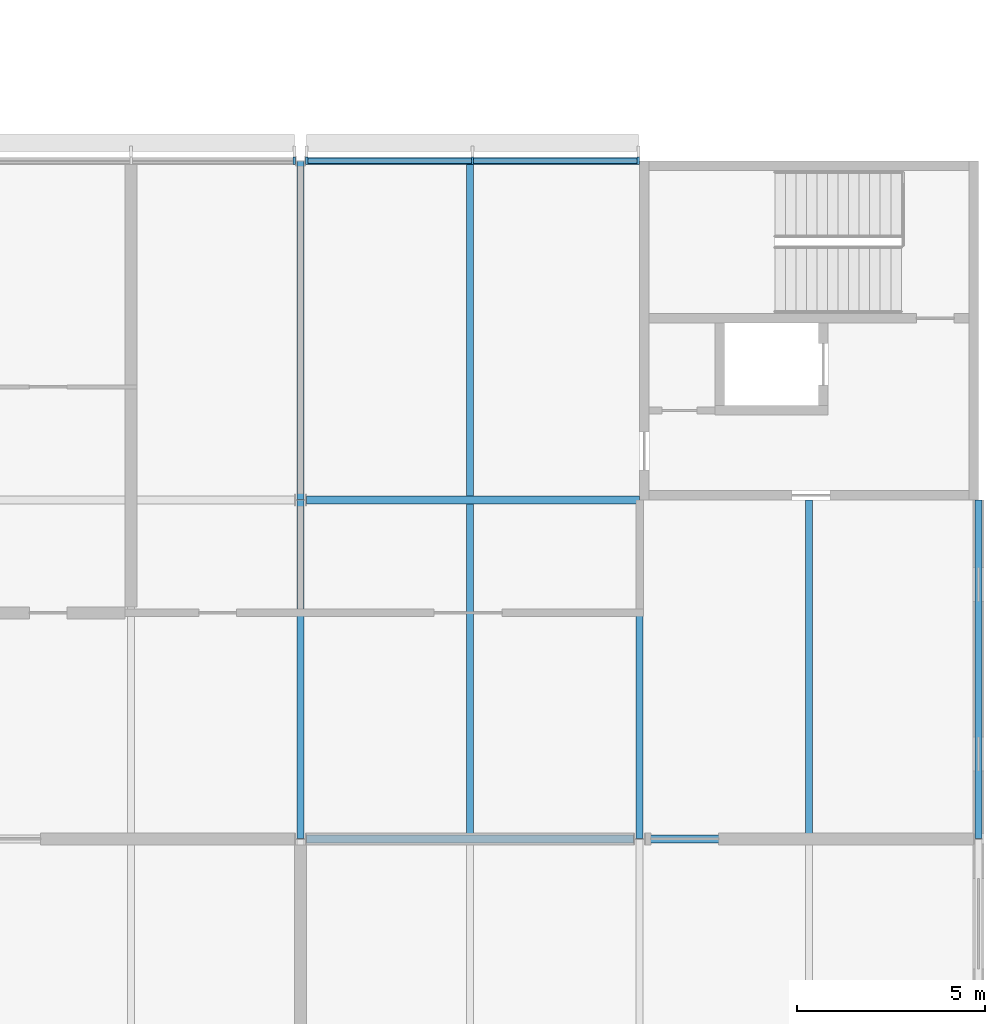
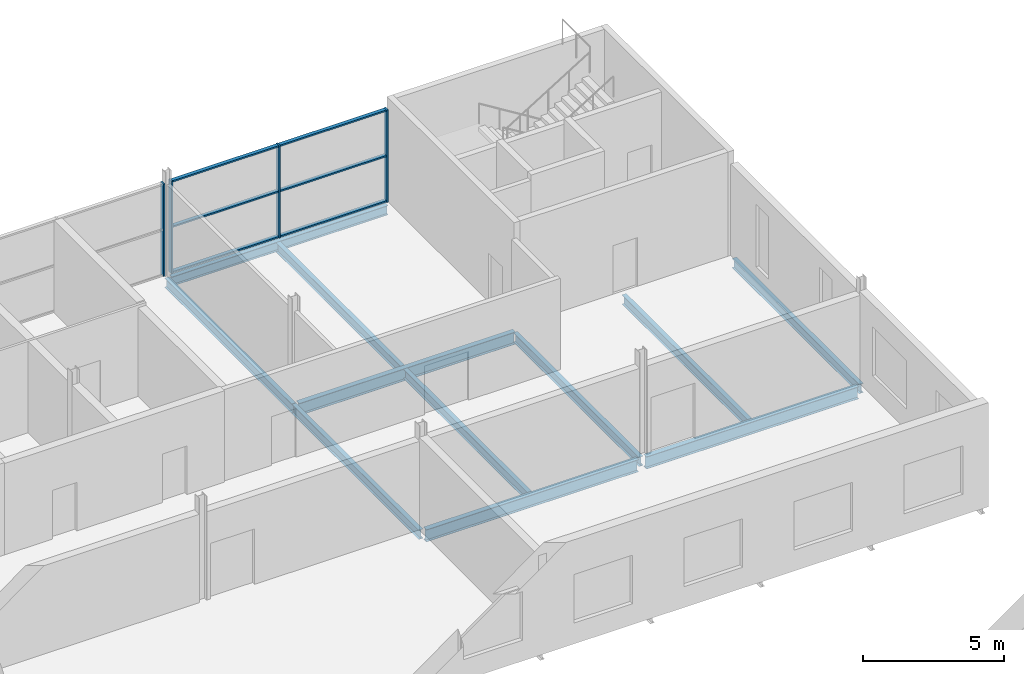
# One storey, part 59 of 97: 11 beams, 10 members, 2 elements without a shape of their own.
"""IFC4 building model written with IfcOpenShell, lengths in metres."""

import ifcopenshell
import ifcopenshell.guid

model = None  # the IFC model being written
_history = None  # IfcOwnerHistory: only IFC2X3 demands one
_inside = {}  # id of a spatial element -> (the spatial element, [elements in it])
_under = {}  # id of a project, library or spatial element -> (it, [spatial elements below it])
_declared = {}  # id of a project -> (the project, [libraries it declares])
_typed = {}  # id of a type object -> (the type object, [elements of that type])
_made_of = {}  # id of a material, layer set ... -> (it, [elements and type objects made of it])


def new_model(schema):
    """Start an empty IFC model of exactly this schema.

    Asked for "IFC4X3", IfcOpenShell would pick the latest addendum, in which some entities
    have other attributes; the version numbers below select the first issue.
    IFC2X3 requires an IfcOwnerHistory on every rooted entity: one is made here for all.
    """
    global model, _history
    if schema == "IFC4X3":
        model = ifcopenshell.file(schema_version=(4, 3, 0, 0))
    else:
        model = ifcopenshell.file(schema=schema)
    _inside.clear()
    _under.clear()
    _declared.clear()
    _typed.clear()
    _made_of.clear()
    _history = None
    if model.schema == "IFC2X3":
        org = make("IfcOrganization", Name="unknown")
        user = make(
            "IfcPersonAndOrganization",
            ThePerson=make("IfcPerson", FamilyName="unknown"),
            TheOrganization=org,
        )
        app = make(
            "IfcApplication",
            ApplicationDeveloper=org,
            Version="unknown",
            ApplicationFullName="unknown",
            ApplicationIdentifier="unknown",
        )
        _history = make(
            "IfcOwnerHistory",
            OwningUser=user,
            OwningApplication=app,
            ChangeAction="ADDED",
            CreationDate=0,
        )
    return model


def make(cls, **values):
    """One entity of the class cls with the attributes given. An attribute that is None is left unset."""
    return model.create_entity(
        cls, **{name: value for name, value in values.items() if value is not None}
    )


def rooted(cls, **values):
    """An entity with a GlobalId (a new one), such as an element, a storey or a relation."""
    return make(cls, GlobalId=ifcopenshell.guid.new(), OwnerHistory=_history, **values)


def si_unit(unit_type, name, prefix=None):
    """IfcSIUnit, for example si_unit("LENGTHUNIT", "METRE", prefix="MILLI")."""
    return make("IfcSIUnit", UnitType=unit_type, Prefix=prefix, Name=name)


def assignment(units):
    """IfcUnitAssignment: the units of a project."""
    return None if units is None else make("IfcUnitAssignment", Units=units)


def point(xyz):
    """IfcCartesianPoint."""
    return None if xyz is None else make("IfcCartesianPoint", Coordinates=xyz)


def direction(xyz):
    """IfcDirection."""
    return None if xyz is None else make("IfcDirection", DirectionRatios=xyz)


def frame(location, z_axis=None, x_axis=None):
    """IfcAxis2Placement3D, a coordinate frame: its origin and axes. An axis left out is left unset."""
    return make(
        "IfcAxis2Placement3D",
        Location=point(location),
        Axis=direction(z_axis),
        RefDirection=direction(x_axis),
    )


def frame_2d(location, x_axis=None):
    """IfcAxis2Placement2D, a coordinate frame in the plane: its origin and x axis."""
    return make(
        "IfcAxis2Placement2D", Location=point(location), RefDirection=direction(x_axis)
    )


def origin():
    """The frame at (0, 0, 0) with its axes left unset."""
    return frame((0.0, 0.0, 0.0))


def origin_2d():
    """The frame at (0, 0) in the plane with its x axis left unset."""
    return frame_2d((0.0, 0.0))


def place(relative_to, where):
    """IfcLocalPlacement: puts the frame where relative to a parent placement (None: the world)."""
    return make(
        "IfcLocalPlacement", PlacementRelTo=relative_to, RelativePlacement=where
    )


def context(
    kind, dimensions, precision=None, world=None, true_north=None, identifier=None
):
    """IfcGeometricRepresentationContext, for example the 3D "Model" context."""
    return make(
        "IfcGeometricRepresentationContext",
        ContextIdentifier=identifier,
        ContextType=kind,
        CoordinateSpaceDimension=dimensions,
        Precision=precision,
        WorldCoordinateSystem=world,
        TrueNorth=true_north,
    )


def subcontext(parent, identifier, kind, view, scale=None):
    """IfcGeometricRepresentationSubContext, for example "Body" below "Model"."""
    return make(
        "IfcGeometricRepresentationSubContext",
        ContextIdentifier=identifier,
        ContextType=kind,
        ParentContext=parent,
        TargetScale=scale,
        TargetView=view,
    )


def project(units=None, contexts=None):
    """IfcProject with its units and contexts."""
    return rooted(
        "IfcProject",
        Name="project",
        RepresentationContexts=contexts,
        UnitsInContext=assignment(units),
    )


def spatial(cls, under=None, at=None, **own):
    """A site, building, storey or space (cls), placed at a placement, below another one or the project."""
    s = rooted(cls, ObjectPlacement=at, **own)
    if under is not None:
        _under.setdefault(under.id(), (under, []))[1].append(s)
    return s


def profile(cls, at=None, kind="AREA", **sizes):
    """A parametric profile (cls). Its sizes go by their IFC names, for example OverallWidth=200.0."""
    return make(cls, ProfileType=kind, Position=at, **sizes)


def rectangle(**sizes):
    """IfcRectangleProfileDef."""
    return profile("IfcRectangleProfileDef", **sizes)


def i_section(**sizes):
    """IfcIShapeProfileDef."""
    return profile("IfcIShapeProfileDef", **sizes)


def extrude(swept, where, along, depth):
    """IfcExtrudedAreaSolid: the profile swept, set in the frame where, extruded along a direction by depth."""
    return make(
        "IfcExtrudedAreaSolid",
        SweptArea=swept,
        Position=where,
        ExtrudedDirection=direction(along),
        Depth=depth,
    )


def shape(context_of_items, identifier, shape_type, items):
    """IfcShapeRepresentation: the items that make up one representation, for example the "Body"."""
    return make(
        "IfcShapeRepresentation",
        ContextOfItems=context_of_items,
        RepresentationIdentifier=identifier,
        RepresentationType=shape_type,
        Items=items,
    )


def material(Name=None, Category=None):
    """IfcMaterial."""
    return make("IfcMaterial", Name=Name, Category=Category)


def layer(
    of_material, thickness, ventilated=None, Name=None, Category=None, Priority=None
):
    """IfcMaterialLayer: one layer of a wall or slab, of a material (None: an air gap)."""
    return make(
        "IfcMaterialLayer",
        Material=of_material,
        LayerThickness=thickness,
        IsVentilated=ventilated,
        Name=Name,
        Category=Category,
        Priority=Priority,
    )


def layer_set(layers, Name=None):
    """IfcMaterialLayerSet."""
    return make("IfcMaterialLayerSet", MaterialLayers=layers, LayerSetName=Name)


def material_profile(
    of_material, cross_section, Name=None, Category=None, Priority=None
):
    """IfcMaterialProfile: a cross section and its material."""
    return make(
        "IfcMaterialProfile",
        Name=Name,
        Material=of_material,
        Profile=cross_section,
        Priority=Priority,
        Category=Category,
    )


def profile_set(profiles, Name=None, composite=None):
    """IfcMaterialProfileSet."""
    return make(
        "IfcMaterialProfileSet",
        Name=Name,
        MaterialProfiles=profiles,
        CompositeProfile=composite,
    )


def made_of(thing, what):
    """Note that an element or type object is made of a material, layer set ...; save() writes the relation."""
    if what is not None:
        _made_of.setdefault(what.id(), (what, []))[1].append(thing)
    return thing


def type_object(cls, material=None, **own):
    """A type object (cls), such as IfcWallType, which elements share."""
    return made_of(rooted(cls, **own), material)


def element(
    cls,
    number,
    at=None,
    inside=None,
    cuts=None,
    type_object=None,
    material=None,
    context=None,
    identifier="Body",
    shape_type=None,
    held_by="IfcProductDefinitionShape",
    body=None,
    shapes=None,
    **own,
):
    """One element of the class cls, such as IfcWall. Its Tag is "e" and its number.

    at: its placement. inside: the storey or other place that contains it. cuts: it is an
    opening in that element (IfcRelVoidsElement). A single representation is given by context,
    identifier, shape_type and body (its items); several are given by shapes. held_by: the class
    of the entity that holds the representations. save() writes the other relations.
    """
    e = rooted(cls, Tag="e%d" % number, ObjectPlacement=at, **own)
    if body is not None:
        shapes = [shape(context, identifier, shape_type, body)]
    if shapes is not None:
        e.Representation = make(held_by, Representations=shapes)
    if inside is not None:
        _inside.setdefault(inside.id(), (inside, []))[1].append(e)
    if cuts is not None:
        rooted(
            "IfcRelVoidsElement", RelatingBuildingElement=cuts, RelatedOpeningElement=e
        )
    if type_object is not None:
        _typed.setdefault(type_object.id(), (type_object, []))[1].append(e)
    return made_of(e, material)


def aggregate(whole, parts):
    """IfcRelAggregates: a whole, such as a stair, and the parts it consists of."""
    return rooted("IfcRelAggregates", RelatingObject=whole, RelatedObjects=parts)


def save(model, path):
    """Write the relations noted so far, then the file.

    IfcRelAggregates (storeys below a building ...), IfcRelContainedInSpatialStructure (elements
    in a storey), IfcRelDefinesByType, IfcRelAssociatesMaterial and IfcRelDeclares: one each for
    every whole, place, type object, material and project.
    """
    for whole, parts in _under.values():
        aggregate(whole, parts)
    for where, things in _inside.values():
        rooted(
            "IfcRelContainedInSpatialStructure",
            RelatedElements=things,
            RelatingStructure=where,
        )
    for kind, things in _typed.values():
        rooted("IfcRelDefinesByType", RelatedObjects=things, RelatingType=kind)
    for what, things in _made_of.values():
        rooted("IfcRelAssociatesMaterial", RelatedObjects=things, RelatingMaterial=what)
    for by, libraries in _declared.values():
        rooted("IfcRelDeclares", RelatingContext=by, RelatedDefinitions=libraries)
    model.write(path)


model = new_model("IFC4")

# Units and contexts
model_context = context("Model", 3, precision=1e-05, world=origin(), true_north=direction((0.0, 1.0)))
body_context = subcontext(model_context, "Body", "Model", "MODEL_VIEW")
ifc_project = project(units=[si_unit("LENGTHUNIT", "METRE"), si_unit("AREAUNIT", "SQUARE_METRE"), si_unit("VOLUMEUNIT", "CUBIC_METRE"), si_unit("PLANEANGLEUNIT", "RADIAN"), si_unit("MASSUNIT", "GRAM", prefix="KILO")], contexts=[model_context])

# Site, building, storey
site_placement = place(None, origin())
site = spatial("IfcSite", under=ifc_project, at=site_placement, CompositionType="ELEMENT")
building_placement = place(site_placement, origin())
building = spatial("IfcBuilding", under=site, at=building_placement, Name="Corbel Yard City Hall", CompositionType="ELEMENT")
storey_placement = place(building_placement, frame((0.0, 0.0, 6.0)))
storey = spatial("IfcBuildingStorey", under=building, at=storey_placement, Name="L01", CompositionType="ELEMENT", Elevation=6.0)

# Beams
ifc_material_1 = material(Name="Steel Grade 300 (300 MPa yield)", Category="steel")
ifc_material_profile_1 = material_profile(ifc_material_1, i_section(OverallWidth=0.177978515625, OverallDepth=0.403076171875, WebThickness=0.007568359375, FlangeThickness=0.010986328125, at=origin_2d()), Name="410UB53.7")
ifc_profile_set_1 = profile_set([ifc_material_profile_1], Name="Steel Grade 300 (300 MPa yield)")
beam_type_1 = type_object("IfcBeamType", Name="Beam 410UB53.7", PredefinedType="BEAM", material=ifc_profile_set_1)
beam_1_placement = place(storey_placement, frame((162.0, 99.0078125, -0.3515625), z_axis=(0.0, 1.0, 0.0), x_axis=(-1.0, 0.0, 0.0)))
element("IfcBeam", 1, at=beam_1_placement, inside=storey, type_object=beam_type_1, Name="Beam 410UB53.7 SB6 L01floor", PredefinedType="BEAM", context=body_context, shape_type="SweptSolid", body=[
    extrude(i_section(OverallWidth=0.177978515625, OverallDepth=0.403076171875, WebThickness=0.007568359375, FlangeThickness=0.010986328125, at=origin_2d()), origin(), (0.0, 0.0, 1.0), 8.984375),
])
beam_2_placement = place(storey_placement, frame((162.0, 108.0078125, -0.3515625), z_axis=(0.0, 1.0, 0.0), x_axis=(-1.0, 0.0, 0.0)))
element("IfcBeam", 2, at=beam_2_placement, inside=storey, type_object=beam_type_1, Name="Beam 410UB53.7 SB6 L01floor", PredefinedType="BEAM", context=body_context, shape_type="SweptSolid", body=[
    extrude(i_section(OverallWidth=0.177978515625, OverallDepth=0.403076171875, WebThickness=0.007568359375, FlangeThickness=0.010986328125, at=origin_2d()), origin(), (0.0, 0.0, 1.0), 8.986328125),
])
beam_3_placement = place(storey_placement, frame((171.0, 99.0078125, -0.3515625), z_axis=(0.0, 1.0, 0.0), x_axis=(-1.0, 0.0, 0.0)))
element("IfcBeam", 3, at=beam_3_placement, inside=storey, type_object=beam_type_1, Name="Beam 410UB53.7 SB6 L01floor", PredefinedType="BEAM", context=body_context, shape_type="SweptSolid", body=[
    extrude(i_section(OverallWidth=0.177978515625, OverallDepth=0.403076171875, WebThickness=0.007568359375, FlangeThickness=0.010986328125, at=origin_2d()), origin(), (0.0, 0.0, 1.0), 8.8876953125),
])
ifc_material_profile_2 = material_profile(ifc_material_1, i_section(OverallWidth=0.177978515625, OverallDepth=0.406005859375, WebThickness=0.0078125, FlangeThickness=0.0126953125, at=origin_2d()), Name="410UB59.7")
ifc_profile_set_2 = profile_set([ifc_material_profile_2], Name="Steel Grade 300 (300 MPa yield)")
beam_type_2 = type_object("IfcBeamType", Name="Edge beam 410UB59.7", PredefinedType="BEAM", material=ifc_profile_set_2)
beam_4_placement = place(storey_placement, frame((162.157470703125, 117.0, -0.35302734375), z_axis=(1.0, 0.0, 0.0), x_axis=(0.0, 1.0, 0.0)))
element("IfcBeam", 4, at=beam_4_placement, inside=storey, type_object=beam_type_2, Name="Edge beam 410UB59.7 EB2 L01floor", PredefinedType="BEAM", context=body_context, shape_type="SweptSolid", body=[
    extrude(i_section(OverallWidth=0.177978515625, OverallDepth=0.406005859375, WebThickness=0.0078125, FlangeThickness=0.0126953125, at=origin_2d()), origin(), (0.0, 0.0, 1.0), 8.842529296875),
])
beam_5_placement = place(storey_placement, frame((180.0, 99.005859375, -0.35302734375), z_axis=(0.0, 1.0, 0.0), x_axis=(-1.0, 0.0, 0.0)))
element("IfcBeam", 5, at=beam_5_placement, inside=storey, type_object=beam_type_2, Name="Edge beam 410UB59.7 EB2 L01floor", PredefinedType="BEAM", context=body_context, shape_type="SweptSolid", body=[
    extrude(i_section(OverallWidth=0.177978515625, OverallDepth=0.406005859375, WebThickness=0.0078125, FlangeThickness=0.0126953125, at=origin_2d()), origin(), (0.0, 0.0, 1.0), 8.994140625),
])
ifc_material_profile_3 = material_profile(ifc_material_1, i_section(OverallWidth=0.208984375, OverallDepth=0.528076171875, WebThickness=0.009521484375, FlangeThickness=0.01318359375, at=origin_2d()), Name="530UB82.0")
ifc_profile_set_3 = profile_set([ifc_material_profile_3], Name="Steel Grade 300 (300 MPa yield)")
beam_type_3 = type_object("IfcBeamType", Name="Girder 530UB82.0", PredefinedType="BEAM", material=ifc_profile_set_3)
beam_6_placement = place(storey_placement, frame((162.16357421875, 99.0, -0.4140625), z_axis=(1.0, 0.0, 0.0), x_axis=(0.0, 1.0, 0.0)))
element("IfcBeam", 6, at=beam_6_placement, inside=storey, type_object=beam_type_3, Name="Girder 530UB82.0 GB3 L01floor", PredefinedType="BEAM", context=body_context, shape_type="SweptSolid", body=[
    extrude(i_section(OverallWidth=0.208984375, OverallDepth=0.528076171875, WebThickness=0.009521484375, FlangeThickness=0.01318359375, at=origin_2d()), origin(), (0.0, 0.0, 1.0), 8.6728515625),
])
beam_7_placement = place(storey_placement, frame((171.16357421875, 99.0, -0.4140625), z_axis=(1.0, 0.0, 0.0), x_axis=(0.0, 1.0, 0.0)))
element("IfcBeam", 7, at=beam_7_placement, inside=storey, type_object=beam_type_3, Name="Girder 530UB82.0 GB3 L01floor", PredefinedType="BEAM", context=body_context, shape_type="SweptSolid", body=[
    extrude(i_section(OverallWidth=0.208984375, OverallDepth=0.528076171875, WebThickness=0.009521484375, FlangeThickness=0.01318359375, at=origin_2d()), origin(), (0.0, 0.0, 1.0), 8.678955078125),
])
beam_8_placement = place(storey_placement, frame((162.16357421875, 108.0, -0.4140625), z_axis=(1.0, 0.0, 0.0), x_axis=(0.0, 1.0, 0.0)))
element("IfcBeam", 8, at=beam_8_placement, inside=storey, type_object=beam_type_3, Name="Girder 530UB82.0 GB3 L01floor", PredefinedType="BEAM", context=body_context, shape_type="SweptSolid", body=[
    extrude(i_section(OverallWidth=0.208984375, OverallDepth=0.528076171875, WebThickness=0.009521484375, FlangeThickness=0.01318359375, at=origin_2d()), origin(), (0.0, 0.0, 1.0), 8.83642578125),
])

# Curtain wall, member
ifc_material_2 = material(Name="Aluminium extrusion", Category="aluminium")
ifc_layer = layer(ifc_material_2, 0.199951171875)
ifc_layer_set = layer_set([ifc_layer], Name="Aluminium extrusion")
curtain_wall_type = type_object("IfcCurtainWallType", Name="CW1", PredefinedType="USERDEFINED", material=ifc_layer_set)
curtain_wall_1_placement = place(storey_placement, origin())
curtain_wall_1 = element("IfcCurtainWall", 9, at=curtain_wall_1_placement, inside=storey, type_object=curtain_wall_type, Name="Curtain wall CW1 L01", ObjectType="CURTAIN WALL", PredefinedType="USERDEFINED")
ifc_material_profile_4 = material_profile(ifc_material_2, rectangle(XDim=0.199951171875, YDim=0.06494140625, at=origin_2d()), Name="200x65")
ifc_profile_set_4 = profile_set([ifc_material_profile_4], Name="Aluminium extrusion")
member_type_1 = type_object("IfcMemberType", Name="ML1", PredefinedType="MULLION", material=ifc_profile_set_4)
member_1_placement = place(storey_placement, frame((161.83740234375, 117.0, 0.0), z_axis=(0.0, 0.0, 1.0), x_axis=(0.0, 1.0, 0.0)))
member_1 = element("IfcMember", 10, at=member_1_placement, type_object=member_type_1, Name="CW1 mullion 3", PredefinedType="MULLION", context=body_context, shape_type="SweptSolid", body=[
    extrude(rectangle(XDim=0.199951171875, YDim=0.06494140625, at=origin_2d()), origin(), (0.0, 0.0, 1.0), 3.990966796875),
])
aggregate(curtain_wall_1, [member_1])

# Curtain wall, members
curtain_wall_2_placement = place(storey_placement, origin())
curtain_wall_2 = element("IfcCurtainWall", 11, at=curtain_wall_2_placement, inside=storey, type_object=curtain_wall_type, Name="Curtain wall CW1 L01", ObjectType="CURTAIN WALL", PredefinedType="USERDEFINED")
member_2_placement = place(storey_placement, frame((162.16259765625, 117.0, 0.0), z_axis=(0.0, 0.0, 1.0), x_axis=(0.0, 1.0, 0.0)))
member_2 = element("IfcMember", 12, at=member_2_placement, type_object=member_type_1, Name="CW1 mullion 1", PredefinedType="MULLION", context=body_context, shape_type="SweptSolid", body=[
    extrude(rectangle(XDim=0.199951171875, YDim=0.06494140625, at=origin_2d()), origin(), (0.0, 0.0, 1.0), 3.990966796875),
])
member_3_placement = place(storey_placement, frame((166.56494140625, 117.0, 0.0), z_axis=(0.0, 0.0, 1.0), x_axis=(0.0, 1.0, 0.0)))
member_3 = element("IfcMember", 13, at=member_3_placement, type_object=member_type_1, Name="CW1 mullion 2", PredefinedType="MULLION", context=body_context, shape_type="SweptSolid", body=[
    extrude(rectangle(XDim=0.199951171875, YDim=0.06494140625, at=origin_2d()), origin(), (0.0, 0.0, 1.0), 3.990966796875),
])
member_4_placement = place(storey_placement, frame((170.967529296875, 117.0, 0.0), z_axis=(0.0, 0.0, 1.0), x_axis=(0.0, 1.0, 0.0)))
member_4 = element("IfcMember", 14, at=member_4_placement, type_object=member_type_1, Name="CW1 mullion 3", PredefinedType="MULLION", context=body_context, shape_type="SweptSolid", body=[
    extrude(rectangle(XDim=0.199951171875, YDim=0.06494140625, at=origin_2d()), origin(), (0.0, 0.0, 1.0), 3.990966796875),
])

# Beams
ifc_material_profile_5 = material_profile(ifc_material_1, i_section(OverallWidth=0.177978515625, OverallDepth=0.403076171875, WebThickness=0.007568359375, FlangeThickness=0.010986328125, at=origin_2d()), Name="410UB53.7")
ifc_profile_set_5 = profile_set([ifc_material_profile_5], Name="Steel Grade 300 (300 MPa yield)")
beam_type_4 = type_object("IfcBeamType", Name="Secondary beam 410UB53.7", PredefinedType="JOIST", material=ifc_profile_set_5)
beam_9_placement = place(storey_placement, frame((166.5, 99.1044921875, -0.3515625), z_axis=(0.0, 1.0, 0.0), x_axis=(-1.0, 0.0, 0.0)))
element("IfcBeam", 15, at=beam_9_placement, inside=storey, type_object=beam_type_4, Name="Secondary beam 410UB53.7 SB5 L01floor", PredefinedType="JOIST", context=body_context, shape_type="SweptSolid", body=[
    extrude(i_section(OverallWidth=0.177978515625, OverallDepth=0.403076171875, WebThickness=0.007568359375, FlangeThickness=0.010986328125, at=origin_2d()), origin(), (0.0, 0.0, 1.0), 8.791015625),
])
beam_10_placement = place(storey_placement, frame((166.5, 108.1044921875, -0.3515625), z_axis=(0.0, 1.0, 0.0), x_axis=(-1.0, 0.0, 0.0)))
element("IfcBeam", 16, at=beam_10_placement, inside=storey, type_object=beam_type_4, Name="Secondary beam 410UB53.7 SB5 L01floor", PredefinedType="JOIST", context=body_context, shape_type="SweptSolid", body=[
    extrude(i_section(OverallWidth=0.177978515625, OverallDepth=0.403076171875, WebThickness=0.007568359375, FlangeThickness=0.010986328125, at=origin_2d()), origin(), (0.0, 0.0, 1.0), 8.806396484375),
])
beam_11_placement = place(storey_placement, frame((175.5, 99.1044921875, -0.3515625), z_axis=(0.0, 1.0, 0.0), x_axis=(-1.0, 0.0, 0.0)))
element("IfcBeam", 17, at=beam_11_placement, inside=storey, type_object=beam_type_4, Name="Secondary beam 410UB53.7 SB5 L01floor", PredefinedType="JOIST", context=body_context, shape_type="SweptSolid", body=[
    extrude(i_section(OverallWidth=0.177978515625, OverallDepth=0.403076171875, WebThickness=0.007568359375, FlangeThickness=0.010986328125, at=origin_2d()), origin(), (0.0, 0.0, 1.0), 8.8955078125),
])

# Member
ifc_material_profile_6 = material_profile(ifc_material_2, rectangle(XDim=0.14990234375, YDim=0.06494140625, at=origin_2d()), Name="150x65")
ifc_profile_set_6 = profile_set([ifc_material_profile_6], Name="Aluminium extrusion")
member_type_2 = type_object("IfcMemberType", Name="TR1", PredefinedType="USERDEFINED", material=ifc_profile_set_6)
member_5_placement = place(storey_placement, frame((162.195068359375, 117.0, 0.032470703125), z_axis=(1.0, 0.0, 0.0), x_axis=(0.0, 1.0, 0.0)))
member_5 = element("IfcMember", 18, at=member_5_placement, type_object=member_type_2, Name="CW1 transom 1.1", ObjectType="TRANSOM", PredefinedType="USERDEFINED", context=body_context, shape_type="SweptSolid", body=[
    extrude(rectangle(XDim=0.14990234375, YDim=0.06494140625, at=origin_2d()), origin(), (0.0, 0.0, 1.0), 4.33740234375),
])

member_6_placement = place(storey_placement, frame((162.195068359375, 117.0, 1.99560546875), z_axis=(1.0, 0.0, 0.0), x_axis=(0.0, 1.0, 0.0)))
member_6 = element("IfcMember", 19, at=member_6_placement, type_object=member_type_2, Name="CW1 transom 1.2", ObjectType="TRANSOM", PredefinedType="USERDEFINED", context=body_context, shape_type="SweptSolid", body=[
    extrude(rectangle(XDim=0.14990234375, YDim=0.06494140625, at=origin_2d()), origin(), (0.0, 0.0, 1.0), 4.33740234375),
])

member_7_placement = place(storey_placement, frame((162.195068359375, 117.0, 3.95849609375), z_axis=(1.0, 0.0, 0.0), x_axis=(0.0, 1.0, 0.0)))
member_7 = element("IfcMember", 20, at=member_7_placement, type_object=member_type_2, Name="CW1 transom 1.3", ObjectType="TRANSOM", PredefinedType="USERDEFINED", context=body_context, shape_type="SweptSolid", body=[
    extrude(rectangle(XDim=0.14990234375, YDim=0.06494140625, at=origin_2d()), origin(), (0.0, 0.0, 1.0), 4.33740234375),
])

member_8_placement = place(storey_placement, frame((166.597412109375, 117.0, 0.032470703125), z_axis=(1.0, 0.0, 0.0), x_axis=(0.0, 1.0, 0.0)))
member_8 = element("IfcMember", 21, at=member_8_placement, type_object=member_type_2, Name="CW1 transom 2.1", ObjectType="TRANSOM", PredefinedType="USERDEFINED", context=body_context, shape_type="SweptSolid", body=[
    extrude(rectangle(XDim=0.14990234375, YDim=0.06494140625, at=origin_2d()), origin(), (0.0, 0.0, 1.0), 4.337646484375),
])

member_9_placement = place(storey_placement, frame((166.597412109375, 117.0, 1.99560546875), z_axis=(1.0, 0.0, 0.0), x_axis=(0.0, 1.0, 0.0)))
member_9 = element("IfcMember", 22, at=member_9_placement, type_object=member_type_2, Name="CW1 transom 2.2", ObjectType="TRANSOM", PredefinedType="USERDEFINED", context=body_context, shape_type="SweptSolid", body=[
    extrude(rectangle(XDim=0.14990234375, YDim=0.06494140625, at=origin_2d()), origin(), (0.0, 0.0, 1.0), 4.337646484375),
])

member_10_placement = place(storey_placement, frame((166.597412109375, 117.0, 3.95849609375), z_axis=(1.0, 0.0, 0.0), x_axis=(0.0, 1.0, 0.0)))
member_10 = element("IfcMember", 23, at=member_10_placement, type_object=member_type_2, Name="CW1 transom 2.3", ObjectType="TRANSOM", PredefinedType="USERDEFINED", context=body_context, shape_type="SweptSolid", body=[
    extrude(rectangle(XDim=0.14990234375, YDim=0.06494140625, at=origin_2d()), origin(), (0.0, 0.0, 1.0), 4.337646484375),
])

aggregate(curtain_wall_2, [member_2, member_3, member_4, member_5, member_6, member_7, member_8, member_9, member_10])

save(model, "model.ifc")
